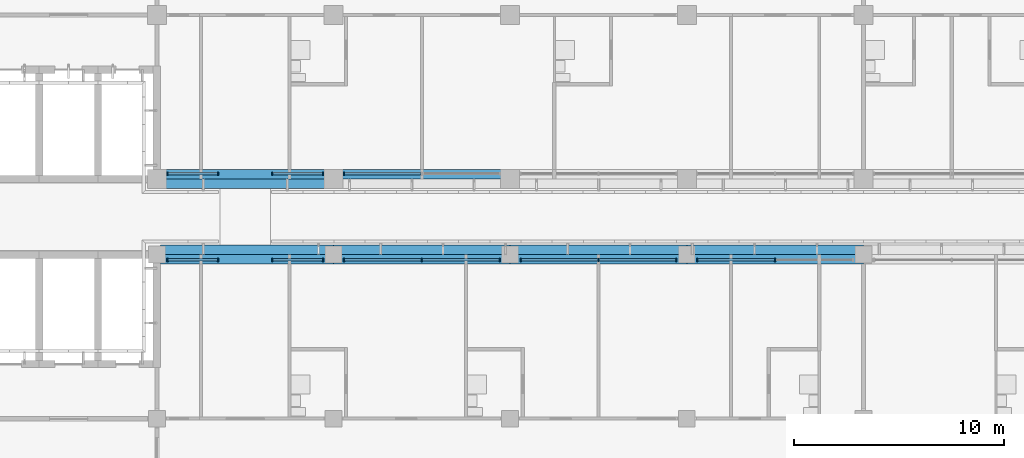
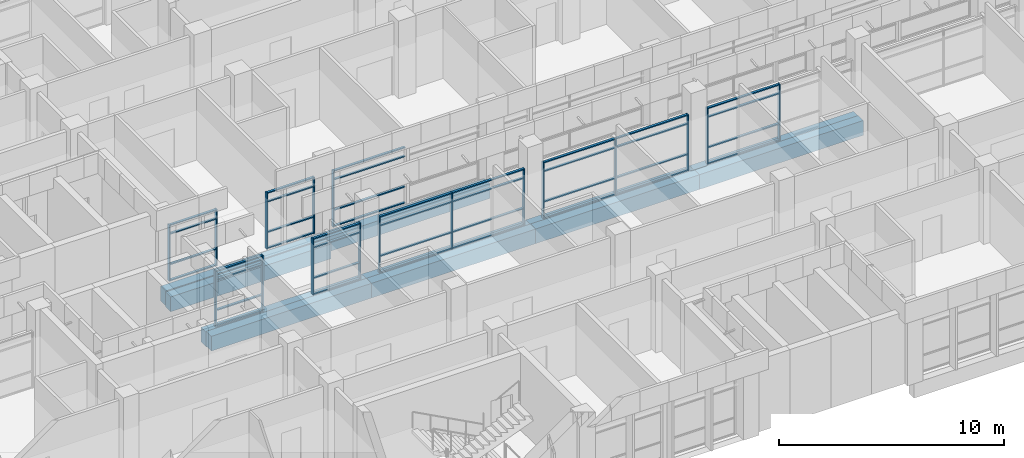
# One storey, part 24 of 137: 57 members, 11 beams, 8 elements without a shape of their own.
"""IFC4 building model written with IfcOpenShell, lengths in metres."""

from ifc_helpers import new_model, si_unit, direction, frame, origin, origin_2d, place, context, subcontext, project, spatial, rectangle, extrude, material, material_profile, profile_set, type_object, element, aggregate, save


model = new_model("IFC4")

# Units and contexts
model_context = context("Model", 3, precision=1e-05, world=origin(), true_north=direction((0.0, 1.0)))
body_context = subcontext(model_context, "Body", "Model", "MODEL_VIEW")
ifc_project = project(units=[si_unit("LENGTHUNIT", "METRE"), si_unit("AREAUNIT", "SQUARE_METRE"), si_unit("VOLUMEUNIT", "CUBIC_METRE"), si_unit("PLANEANGLEUNIT", "RADIAN"), si_unit("MASSUNIT", "GRAM", prefix="KILO")], contexts=[model_context])

# Site, building, storey
site_placement = place(None, origin())
site = spatial("IfcSite", under=ifc_project, at=site_placement, CompositionType="ELEMENT")
building_placement = place(site_placement, origin())
building = spatial("IfcBuilding", under=site, at=building_placement, Name="Bougainvillea Quay General Hospital", CompositionType="ELEMENT")
storey_placement = place(building_placement, frame((0.0, 0.0, 16.800048828125)))
storey = spatial("IfcBuildingStorey", under=building, at=storey_placement, Name="L03", CompositionType="ELEMENT", Elevation=16.800048828125)

# Curtain wall, members
ifc_material_1 = material(Name="Aluminium curtain wall system, powder-coated glazed", Category="aluminium")
curtain_wall_type_1 = type_object("IfcCurtainWallType", Name="Unitised curtain wall CW-2470", PredefinedType="NOTDEFINED", material=ifc_material_1)
curtain_wall_1_placement = place(storey_placement, origin())
curtain_wall_1 = element("IfcCurtainWall", 1, at=curtain_wall_1_placement, inside=storey, type_object=curtain_wall_type_1, Name="CW-4200 00", PredefinedType="NOTDEFINED")
ifc_material_2 = material(Name="Aluminium mullion, powder-coated charcoal", Category="aluminium")
ifc_material_profile_1 = material_profile(ifc_material_2, rectangle(XDim=0.159912109375, YDim=0.06005859375, at=origin_2d()))
ifc_profile_set_1 = profile_set([ifc_material_profile_1], Name="Aluminium mullion, powder-coated charcoal")
member_type_1 = type_object("IfcMemberType", Name="Curtain wall mullion 160x60", PredefinedType="MULLION", material=ifc_profile_set_1)
member_1_placement = place(storey_placement, frame((76.10009765625, 140.64990234375, 0.0), z_axis=(0.0, 0.0, 1.0), x_axis=(0.0, 1.0, 0.0)))
member_1 = element("IfcMember", 2, at=member_1_placement, type_object=member_type_1, Name="CW-4200 mullion 1", PredefinedType="MULLION", context=body_context, shape_type="SweptSolid", body=[
    extrude(rectangle(XDim=0.159912109375, YDim=0.06005859375, at=origin_2d()), origin(), (0.0, 0.0, 1.0), 3.050048828125),
])
member_2_placement = place(storey_placement, frame((78.510009765625, 140.64990234375, 0.0), z_axis=(0.0, 0.0, 1.0), x_axis=(0.0, 1.0, 0.0)))
member_2 = element("IfcMember", 3, at=member_2_placement, type_object=member_type_1, Name="CW-4200 mullion 2", PredefinedType="MULLION", context=body_context, shape_type="SweptSolid", body=[
    extrude(rectangle(XDim=0.159912109375, YDim=0.06005859375, at=origin_2d()), origin(), (0.0, 0.0, 1.0), 3.050048828125),
])

curtain_wall_2_placement = place(storey_placement, origin())
curtain_wall_2 = element("IfcCurtainWall", 4, at=curtain_wall_2_placement, inside=storey, type_object=curtain_wall_type_1, Name="CW-4200 00", PredefinedType="NOTDEFINED")
member_3_placement = place(storey_placement, frame((81.090087890625, 140.64990234375, 0.0), z_axis=(0.0, 0.0, 1.0), x_axis=(0.0, 1.0, 0.0)))
member_3 = element("IfcMember", 5, at=member_3_placement, type_object=member_type_1, Name="CW-4200 mullion 1", PredefinedType="MULLION", context=body_context, shape_type="SweptSolid", body=[
    extrude(rectangle(XDim=0.159912109375, YDim=0.06005859375, at=origin_2d()), origin(), (0.0, 0.0, 1.0), 3.050048828125),
])
member_4_placement = place(storey_placement, frame((83.5, 140.64990234375, 0.0), z_axis=(0.0, 0.0, 1.0), x_axis=(0.0, 1.0, 0.0)))
member_4 = element("IfcMember", 6, at=member_4_placement, type_object=member_type_1, Name="CW-4200 mullion 2", PredefinedType="MULLION", context=body_context, shape_type="SweptSolid", body=[
    extrude(rectangle(XDim=0.159912109375, YDim=0.06005859375, at=origin_2d()), origin(), (0.0, 0.0, 1.0), 3.050048828125),
])

# Curtain wall, member
curtain_wall_type_2 = type_object("IfcCurtainWallType", Name="Unitised curtain wall CW-3730", PredefinedType="NOTDEFINED", material=ifc_material_1)
curtain_wall_3_placement = place(storey_placement, origin())
curtain_wall_3 = element("IfcCurtainWall", 7, at=curtain_wall_3_placement, inside=storey, type_object=curtain_wall_type_2, Name="CW-4200 01", PredefinedType="NOTDEFINED")
member_5_placement = place(storey_placement, frame((84.5, 140.64990234375, 0.0), z_axis=(0.0, 0.0, 1.0), x_axis=(0.0, 1.0, 0.0)))
member_5 = element("IfcMember", 8, at=member_5_placement, type_object=member_type_1, Name="CW-4200 mullion 1", PredefinedType="MULLION", context=body_context, shape_type="SweptSolid", body=[
    extrude(rectangle(XDim=0.159912109375, YDim=0.06005859375, at=origin_2d()), origin(), (0.0, 0.0, 1.0), 3.050048828125),
])

# Curtain wall, members
curtain_wall_4_placement = place(storey_placement, origin())
curtain_wall_4 = element("IfcCurtainWall", 9, at=curtain_wall_4_placement, inside=storey, type_object=curtain_wall_type_1, Name="CW-4200 00", PredefinedType="NOTDEFINED")
member_6_placement = place(storey_placement, frame((78.510009765625, 136.550048828125, 0.0), z_axis=(0.0, 0.0, 1.0), x_axis=(0.0, -1.0, 0.0)))
member_6 = element("IfcMember", 10, at=member_6_placement, type_object=member_type_1, Name="CW-4200 mullion 1", PredefinedType="MULLION", context=body_context, shape_type="SweptSolid", body=[
    extrude(rectangle(XDim=0.159912109375, YDim=0.06005859375, at=origin_2d()), origin(), (0.0, 0.0, 1.0), 3.050048828125),
])
member_7_placement = place(storey_placement, frame((76.10009765625, 136.550048828125, 0.0), z_axis=(0.0, 0.0, 1.0), x_axis=(0.0, -1.0, 0.0)))
member_7 = element("IfcMember", 11, at=member_7_placement, type_object=member_type_1, Name="CW-4200 mullion 2", PredefinedType="MULLION", context=body_context, shape_type="SweptSolid", body=[
    extrude(rectangle(XDim=0.159912109375, YDim=0.06005859375, at=origin_2d()), origin(), (0.0, 0.0, 1.0), 3.050048828125),
])

curtain_wall_5_placement = place(storey_placement, origin())
curtain_wall_5 = element("IfcCurtainWall", 12, at=curtain_wall_5_placement, inside=storey, type_object=curtain_wall_type_2, Name="CW-4200 03", PredefinedType="NOTDEFINED")
member_8_placement = place(storey_placement, frame((105.0, 136.550048828125, 0.0), z_axis=(0.0, 0.0, 1.0), x_axis=(0.0, -1.0, 0.0)))
member_8 = element("IfcMember", 13, at=member_8_placement, type_object=member_type_1, Name="CW-4200 mullion 2", PredefinedType="MULLION", context=body_context, shape_type="SweptSolid", body=[
    extrude(rectangle(XDim=0.159912109375, YDim=0.06005859375, at=origin_2d()), origin(), (0.0, 0.0, 1.0), 3.050048828125),
])
member_9_placement = place(storey_placement, frame((101.300048828125, 136.550048828125, 0.0), z_axis=(0.0, 0.0, 1.0), x_axis=(0.0, -1.0, 0.0)))
member_9 = element("IfcMember", 14, at=member_9_placement, type_object=member_type_1, Name="CW-4200 mullion 3", PredefinedType="MULLION", context=body_context, shape_type="SweptSolid", body=[
    extrude(rectangle(XDim=0.159912109375, YDim=0.06005859375, at=origin_2d()), origin(), (0.0, 0.0, 1.0), 3.050048828125),
])

curtain_wall_6_placement = place(storey_placement, origin())
curtain_wall_6 = element("IfcCurtainWall", 15, at=curtain_wall_6_placement, inside=storey, type_object=curtain_wall_type_2, Name="CW-4200 04", PredefinedType="NOTDEFINED")
member_10_placement = place(storey_placement, frame((100.300048828125, 136.550048828125, 0.0), z_axis=(0.0, 0.0, 1.0), x_axis=(0.0, -1.0, 0.0)))
member_10 = element("IfcMember", 16, at=member_10_placement, type_object=member_type_1, Name="CW-4200 mullion 1", PredefinedType="MULLION", context=body_context, shape_type="SweptSolid", body=[
    extrude(rectangle(XDim=0.159912109375, YDim=0.06005859375, at=origin_2d()), origin(), (0.0, 0.0, 1.0), 3.050048828125),
])
member_11_placement = place(storey_placement, frame((96.60009765625, 136.550048828125, 0.0), z_axis=(0.0, 0.0, 1.0), x_axis=(0.0, -1.0, 0.0)))
member_11 = element("IfcMember", 17, at=member_11_placement, type_object=member_type_1, Name="CW-4200 mullion 2", PredefinedType="MULLION", context=body_context, shape_type="SweptSolid", body=[
    extrude(rectangle(XDim=0.159912109375, YDim=0.06005859375, at=origin_2d()), origin(), (0.0, 0.0, 1.0), 3.050048828125),
])
member_12_placement = place(storey_placement, frame((92.89990234375, 136.550048828125, 0.0), z_axis=(0.0, 0.0, 1.0), x_axis=(0.0, -1.0, 0.0)))
member_12 = element("IfcMember", 18, at=member_12_placement, type_object=member_type_1, Name="CW-4200 mullion 3", PredefinedType="MULLION", context=body_context, shape_type="SweptSolid", body=[
    extrude(rectangle(XDim=0.159912109375, YDim=0.06005859375, at=origin_2d()), origin(), (0.0, 0.0, 1.0), 3.050048828125),
])

curtain_wall_7_placement = place(storey_placement, origin())
curtain_wall_7 = element("IfcCurtainWall", 19, at=curtain_wall_7_placement, inside=storey, type_object=curtain_wall_type_2, Name="CW-4200 05", PredefinedType="NOTDEFINED")
member_13_placement = place(storey_placement, frame((91.89990234375, 136.550048828125, 0.0), z_axis=(0.0, 0.0, 1.0), x_axis=(0.0, -1.0, 0.0)))
member_13 = element("IfcMember", 20, at=member_13_placement, type_object=member_type_1, Name="CW-4200 mullion 1", PredefinedType="MULLION", context=body_context, shape_type="SweptSolid", body=[
    extrude(rectangle(XDim=0.159912109375, YDim=0.06005859375, at=origin_2d()), origin(), (0.0, 0.0, 1.0), 3.050048828125),
])
member_14_placement = place(storey_placement, frame((88.199951171875, 136.550048828125, 0.0), z_axis=(0.0, 0.0, 1.0), x_axis=(0.0, -1.0, 0.0)))
member_14 = element("IfcMember", 21, at=member_14_placement, type_object=member_type_1, Name="CW-4200 mullion 2", PredefinedType="MULLION", context=body_context, shape_type="SweptSolid", body=[
    extrude(rectangle(XDim=0.159912109375, YDim=0.06005859375, at=origin_2d()), origin(), (0.0, 0.0, 1.0), 3.050048828125),
])
member_15_placement = place(storey_placement, frame((84.5, 136.550048828125, 0.0), z_axis=(0.0, 0.0, 1.0), x_axis=(0.0, -1.0, 0.0)))
member_15 = element("IfcMember", 22, at=member_15_placement, type_object=member_type_1, Name="CW-4200 mullion 3", PredefinedType="MULLION", context=body_context, shape_type="SweptSolid", body=[
    extrude(rectangle(XDim=0.159912109375, YDim=0.06005859375, at=origin_2d()), origin(), (0.0, 0.0, 1.0), 3.050048828125),
])

curtain_wall_8_placement = place(storey_placement, origin())
curtain_wall_8 = element("IfcCurtainWall", 23, at=curtain_wall_8_placement, inside=storey, type_object=curtain_wall_type_1, Name="CW-4200 06", PredefinedType="NOTDEFINED")
member_16_placement = place(storey_placement, frame((83.5, 136.550048828125, 0.0), z_axis=(0.0, 0.0, 1.0), x_axis=(0.0, -1.0, 0.0)))
member_16 = element("IfcMember", 24, at=member_16_placement, type_object=member_type_1, Name="CW-4200 mullion 1", PredefinedType="MULLION", context=body_context, shape_type="SweptSolid", body=[
    extrude(rectangle(XDim=0.159912109375, YDim=0.06005859375, at=origin_2d()), origin(), (0.0, 0.0, 1.0), 3.050048828125),
])
member_17_placement = place(storey_placement, frame((81.090087890625, 136.550048828125, 0.0), z_axis=(0.0, 0.0, 1.0), x_axis=(0.0, -1.0, 0.0)))
member_17 = element("IfcMember", 25, at=member_17_placement, type_object=member_type_1, Name="CW-4200 mullion 2", PredefinedType="MULLION", context=body_context, shape_type="SweptSolid", body=[
    extrude(rectangle(XDim=0.159912109375, YDim=0.06005859375, at=origin_2d()), origin(), (0.0, 0.0, 1.0), 3.050048828125),
])

# Member
ifc_material_3 = material(Name="Aluminium transom, powder-coated charcoal", Category="aluminium")
ifc_material_profile_2 = material_profile(ifc_material_3, rectangle(XDim=0.1201171875, YDim=0.06005859375, at=origin_2d()))
ifc_profile_set_2 = profile_set([ifc_material_profile_2], Name="Aluminium transom, powder-coated charcoal")
member_type_2 = type_object("IfcMemberType", Name="Curtain wall transom 120x60", PredefinedType="USERDEFINED", material=ifc_profile_set_2)
member_18_placement = place(storey_placement, frame((76.1298828125, 140.64990234375, 0.030029296875), z_axis=(1.0, 0.0, 0.0), x_axis=(0.0, 1.0, 0.0)))
member_18 = element("IfcMember", 26, at=member_18_placement, type_object=member_type_2, Name="CW-4200 transom 1.1", ObjectType="TRANSOM", PredefinedType="USERDEFINED", context=body_context, shape_type="SweptSolid", body=[
    extrude(rectangle(XDim=0.1201171875, YDim=0.06005859375, at=origin_2d()), origin(), (0.0, 0.0, 1.0), 2.35009765625),
])

member_19_placement = place(storey_placement, frame((76.1298828125, 140.64990234375, 0.89990234375), z_axis=(1.0, 0.0, 0.0), x_axis=(0.0, 1.0, 0.0)))
member_19 = element("IfcMember", 27, at=member_19_placement, type_object=member_type_2, Name="CW-4200 transom 1.2", ObjectType="TRANSOM", PredefinedType="USERDEFINED", context=body_context, shape_type="SweptSolid", body=[
    extrude(rectangle(XDim=0.1201171875, YDim=0.06005859375, at=origin_2d()), origin(), (0.0, 0.0, 1.0), 2.35009765625),
])

member_20_placement = place(storey_placement, frame((76.1298828125, 140.64990234375, 2.550048828125), z_axis=(1.0, 0.0, 0.0), x_axis=(0.0, 1.0, 0.0)))
member_20 = element("IfcMember", 28, at=member_20_placement, type_object=member_type_2, Name="CW-4200 transom 1.3", ObjectType="TRANSOM", PredefinedType="USERDEFINED", context=body_context, shape_type="SweptSolid", body=[
    extrude(rectangle(XDim=0.1201171875, YDim=0.06005859375, at=origin_2d()), origin(), (0.0, 0.0, 1.0), 2.35009765625),
])

member_21_placement = place(storey_placement, frame((76.1298828125, 140.64990234375, 3.02001953125), z_axis=(1.0, 0.0, 0.0), x_axis=(0.0, 1.0, 0.0)))
member_21 = element("IfcMember", 29, at=member_21_placement, type_object=member_type_2, Name="CW-4200 transom 1.4", ObjectType="TRANSOM", PredefinedType="USERDEFINED", context=body_context, shape_type="SweptSolid", body=[
    extrude(rectangle(XDim=0.1201171875, YDim=0.06005859375, at=origin_2d()), origin(), (0.0, 0.0, 1.0), 2.35009765625),
])

aggregate(curtain_wall_1, [member_1, member_2, member_18, member_19, member_20, member_21])

member_22_placement = place(storey_placement, frame((81.1201171875, 140.64990234375, 0.030029296875), z_axis=(1.0, 0.0, 0.0), x_axis=(0.0, 1.0, 0.0)))
member_22 = element("IfcMember", 30, at=member_22_placement, type_object=member_type_2, Name="CW-4200 transom 1.1", ObjectType="TRANSOM", PredefinedType="USERDEFINED", context=body_context, shape_type="SweptSolid", body=[
    extrude(rectangle(XDim=0.1201171875, YDim=0.06005859375, at=origin_2d()), origin(), (0.0, 0.0, 1.0), 2.349853515625),
])

member_23_placement = place(storey_placement, frame((81.1201171875, 140.64990234375, 0.89990234375), z_axis=(1.0, 0.0, 0.0), x_axis=(0.0, 1.0, 0.0)))
member_23 = element("IfcMember", 31, at=member_23_placement, type_object=member_type_2, Name="CW-4200 transom 1.2", ObjectType="TRANSOM", PredefinedType="USERDEFINED", context=body_context, shape_type="SweptSolid", body=[
    extrude(rectangle(XDim=0.1201171875, YDim=0.06005859375, at=origin_2d()), origin(), (0.0, 0.0, 1.0), 2.349853515625),
])

member_24_placement = place(storey_placement, frame((81.1201171875, 140.64990234375, 2.550048828125), z_axis=(1.0, 0.0, 0.0), x_axis=(0.0, 1.0, 0.0)))
member_24 = element("IfcMember", 32, at=member_24_placement, type_object=member_type_2, Name="CW-4200 transom 1.3", ObjectType="TRANSOM", PredefinedType="USERDEFINED", context=body_context, shape_type="SweptSolid", body=[
    extrude(rectangle(XDim=0.1201171875, YDim=0.06005859375, at=origin_2d()), origin(), (0.0, 0.0, 1.0), 2.349853515625),
])

member_25_placement = place(storey_placement, frame((81.1201171875, 140.64990234375, 3.02001953125), z_axis=(1.0, 0.0, 0.0), x_axis=(0.0, 1.0, 0.0)))
member_25 = element("IfcMember", 33, at=member_25_placement, type_object=member_type_2, Name="CW-4200 transom 1.4", ObjectType="TRANSOM", PredefinedType="USERDEFINED", context=body_context, shape_type="SweptSolid", body=[
    extrude(rectangle(XDim=0.1201171875, YDim=0.06005859375, at=origin_2d()), origin(), (0.0, 0.0, 1.0), 2.349853515625),
])

aggregate(curtain_wall_2, [member_3, member_4, member_22, member_23, member_24, member_25])

member_26_placement = place(storey_placement, frame((84.530029296875, 140.64990234375, 0.030029296875), z_axis=(1.0, 0.0, 0.0), x_axis=(0.0, 1.0, 0.0)))
member_26 = element("IfcMember", 34, at=member_26_placement, type_object=member_type_2, Name="CW-4200 transom 1.1", ObjectType="TRANSOM", PredefinedType="USERDEFINED", context=body_context, shape_type="SweptSolid", body=[
    extrude(rectangle(XDim=0.1201171875, YDim=0.06005859375, at=origin_2d()), origin(), (0.0, 0.0, 1.0), 3.639892578125),
])

member_27_placement = place(storey_placement, frame((84.530029296875, 140.64990234375, 0.89990234375), z_axis=(1.0, 0.0, 0.0), x_axis=(0.0, 1.0, 0.0)))
member_27 = element("IfcMember", 35, at=member_27_placement, type_object=member_type_2, Name="CW-4200 transom 1.2", ObjectType="TRANSOM", PredefinedType="USERDEFINED", context=body_context, shape_type="SweptSolid", body=[
    extrude(rectangle(XDim=0.1201171875, YDim=0.06005859375, at=origin_2d()), origin(), (0.0, 0.0, 1.0), 3.639892578125),
])

member_28_placement = place(storey_placement, frame((84.530029296875, 140.64990234375, 2.550048828125), z_axis=(1.0, 0.0, 0.0), x_axis=(0.0, 1.0, 0.0)))
member_28 = element("IfcMember", 36, at=member_28_placement, type_object=member_type_2, Name="CW-4200 transom 1.3", ObjectType="TRANSOM", PredefinedType="USERDEFINED", context=body_context, shape_type="SweptSolid", body=[
    extrude(rectangle(XDim=0.1201171875, YDim=0.06005859375, at=origin_2d()), origin(), (0.0, 0.0, 1.0), 3.639892578125),
])

member_29_placement = place(storey_placement, frame((84.530029296875, 140.64990234375, 3.02001953125), z_axis=(1.0, 0.0, 0.0), x_axis=(0.0, 1.0, 0.0)))
member_29 = element("IfcMember", 37, at=member_29_placement, type_object=member_type_2, Name="CW-4200 transom 1.4", ObjectType="TRANSOM", PredefinedType="USERDEFINED", context=body_context, shape_type="SweptSolid", body=[
    extrude(rectangle(XDim=0.1201171875, YDim=0.06005859375, at=origin_2d()), origin(), (0.0, 0.0, 1.0), 3.639892578125),
])

aggregate(curtain_wall_3, [member_5, member_26, member_27, member_28, member_29])

member_30_placement = place(storey_placement, frame((78.47998046875, 136.550048828125, 0.030029296875), z_axis=(-1.0, 0.0, 0.0), x_axis=(0.0, -1.0, 0.0)))
member_30 = element("IfcMember", 38, at=member_30_placement, type_object=member_type_2, Name="CW-4200 transom 1.1", ObjectType="TRANSOM", PredefinedType="USERDEFINED", context=body_context, shape_type="SweptSolid", body=[
    extrude(rectangle(XDim=0.1201171875, YDim=0.06005859375, at=origin_2d()), origin(), (0.0, 0.0, 1.0), 2.35009765625),
])

member_31_placement = place(storey_placement, frame((78.47998046875, 136.550048828125, 0.89990234375), z_axis=(-1.0, 0.0, 0.0), x_axis=(0.0, -1.0, 0.0)))
member_31 = element("IfcMember", 39, at=member_31_placement, type_object=member_type_2, Name="CW-4200 transom 1.2", ObjectType="TRANSOM", PredefinedType="USERDEFINED", context=body_context, shape_type="SweptSolid", body=[
    extrude(rectangle(XDim=0.1201171875, YDim=0.06005859375, at=origin_2d()), origin(), (0.0, 0.0, 1.0), 2.35009765625),
])

member_32_placement = place(storey_placement, frame((78.47998046875, 136.550048828125, 2.550048828125), z_axis=(-1.0, 0.0, 0.0), x_axis=(0.0, -1.0, 0.0)))
member_32 = element("IfcMember", 40, at=member_32_placement, type_object=member_type_2, Name="CW-4200 transom 1.3", ObjectType="TRANSOM", PredefinedType="USERDEFINED", context=body_context, shape_type="SweptSolid", body=[
    extrude(rectangle(XDim=0.1201171875, YDim=0.06005859375, at=origin_2d()), origin(), (0.0, 0.0, 1.0), 2.35009765625),
])

member_33_placement = place(storey_placement, frame((78.47998046875, 136.550048828125, 3.02001953125), z_axis=(-1.0, 0.0, 0.0), x_axis=(0.0, -1.0, 0.0)))
member_33 = element("IfcMember", 41, at=member_33_placement, type_object=member_type_2, Name="CW-4200 transom 1.4", ObjectType="TRANSOM", PredefinedType="USERDEFINED", context=body_context, shape_type="SweptSolid", body=[
    extrude(rectangle(XDim=0.1201171875, YDim=0.06005859375, at=origin_2d()), origin(), (0.0, 0.0, 1.0), 2.35009765625),
])

aggregate(curtain_wall_4, [member_6, member_7, member_30, member_31, member_32, member_33])

member_34_placement = place(storey_placement, frame((104.969970703125, 136.550048828125, 0.030029296875), z_axis=(-1.0, 0.0, 0.0), x_axis=(0.0, -1.0, 0.0)))
member_34 = element("IfcMember", 42, at=member_34_placement, type_object=member_type_2, Name="CW-4200 transom 2.1", ObjectType="TRANSOM", PredefinedType="USERDEFINED", context=body_context, shape_type="SweptSolid", body=[
    extrude(rectangle(XDim=0.1201171875, YDim=0.06005859375, at=origin_2d()), origin(), (0.0, 0.0, 1.0), 3.639892578125),
])

member_35_placement = place(storey_placement, frame((104.969970703125, 136.550048828125, 0.89990234375), z_axis=(-1.0, 0.0, 0.0), x_axis=(0.0, -1.0, 0.0)))
member_35 = element("IfcMember", 43, at=member_35_placement, type_object=member_type_2, Name="CW-4200 transom 2.2", ObjectType="TRANSOM", PredefinedType="USERDEFINED", context=body_context, shape_type="SweptSolid", body=[
    extrude(rectangle(XDim=0.1201171875, YDim=0.06005859375, at=origin_2d()), origin(), (0.0, 0.0, 1.0), 3.639892578125),
])

member_36_placement = place(storey_placement, frame((104.969970703125, 136.550048828125, 2.550048828125), z_axis=(-1.0, 0.0, 0.0), x_axis=(0.0, -1.0, 0.0)))
member_36 = element("IfcMember", 44, at=member_36_placement, type_object=member_type_2, Name="CW-4200 transom 2.3", ObjectType="TRANSOM", PredefinedType="USERDEFINED", context=body_context, shape_type="SweptSolid", body=[
    extrude(rectangle(XDim=0.1201171875, YDim=0.06005859375, at=origin_2d()), origin(), (0.0, 0.0, 1.0), 3.639892578125),
])

member_37_placement = place(storey_placement, frame((104.969970703125, 136.550048828125, 3.02001953125), z_axis=(-1.0, 0.0, 0.0), x_axis=(0.0, -1.0, 0.0)))
member_37 = element("IfcMember", 45, at=member_37_placement, type_object=member_type_2, Name="CW-4200 transom 2.4", ObjectType="TRANSOM", PredefinedType="USERDEFINED", context=body_context, shape_type="SweptSolid", body=[
    extrude(rectangle(XDim=0.1201171875, YDim=0.06005859375, at=origin_2d()), origin(), (0.0, 0.0, 1.0), 3.639892578125),
])

aggregate(curtain_wall_5, [member_8, member_9, member_34, member_35, member_36, member_37])

member_38_placement = place(storey_placement, frame((100.27001953125, 136.550048828125, 0.030029296875), z_axis=(-1.0, 0.0, 0.0), x_axis=(0.0, -1.0, 0.0)))
member_38 = element("IfcMember", 46, at=member_38_placement, type_object=member_type_2, Name="CW-4200 transom 1.1", ObjectType="TRANSOM", PredefinedType="USERDEFINED", context=body_context, shape_type="SweptSolid", body=[
    extrude(rectangle(XDim=0.1201171875, YDim=0.06005859375, at=origin_2d()), origin(), (0.0, 0.0, 1.0), 3.64013671875),
])

member_39_placement = place(storey_placement, frame((100.27001953125, 136.550048828125, 0.89990234375), z_axis=(-1.0, 0.0, 0.0), x_axis=(0.0, -1.0, 0.0)))
member_39 = element("IfcMember", 47, at=member_39_placement, type_object=member_type_2, Name="CW-4200 transom 1.2", ObjectType="TRANSOM", PredefinedType="USERDEFINED", context=body_context, shape_type="SweptSolid", body=[
    extrude(rectangle(XDim=0.1201171875, YDim=0.06005859375, at=origin_2d()), origin(), (0.0, 0.0, 1.0), 3.64013671875),
])

member_40_placement = place(storey_placement, frame((100.27001953125, 136.550048828125, 2.550048828125), z_axis=(-1.0, 0.0, 0.0), x_axis=(0.0, -1.0, 0.0)))
member_40 = element("IfcMember", 48, at=member_40_placement, type_object=member_type_2, Name="CW-4200 transom 1.3", ObjectType="TRANSOM", PredefinedType="USERDEFINED", context=body_context, shape_type="SweptSolid", body=[
    extrude(rectangle(XDim=0.1201171875, YDim=0.06005859375, at=origin_2d()), origin(), (0.0, 0.0, 1.0), 3.64013671875),
])

member_41_placement = place(storey_placement, frame((100.27001953125, 136.550048828125, 3.02001953125), z_axis=(-1.0, 0.0, 0.0), x_axis=(0.0, -1.0, 0.0)))
member_41 = element("IfcMember", 49, at=member_41_placement, type_object=member_type_2, Name="CW-4200 transom 1.4", ObjectType="TRANSOM", PredefinedType="USERDEFINED", context=body_context, shape_type="SweptSolid", body=[
    extrude(rectangle(XDim=0.1201171875, YDim=0.06005859375, at=origin_2d()), origin(), (0.0, 0.0, 1.0), 3.64013671875),
])

member_42_placement = place(storey_placement, frame((96.570068359375, 136.550048828125, 0.030029296875), z_axis=(-1.0, 0.0, 0.0), x_axis=(0.0, -1.0, 0.0)))
member_42 = element("IfcMember", 50, at=member_42_placement, type_object=member_type_2, Name="CW-4200 transom 2.1", ObjectType="TRANSOM", PredefinedType="USERDEFINED", context=body_context, shape_type="SweptSolid", body=[
    extrude(rectangle(XDim=0.1201171875, YDim=0.06005859375, at=origin_2d()), origin(), (0.0, 0.0, 1.0), 3.64013671875),
])

member_43_placement = place(storey_placement, frame((96.570068359375, 136.550048828125, 0.89990234375), z_axis=(-1.0, 0.0, 0.0), x_axis=(0.0, -1.0, 0.0)))
member_43 = element("IfcMember", 51, at=member_43_placement, type_object=member_type_2, Name="CW-4200 transom 2.2", ObjectType="TRANSOM", PredefinedType="USERDEFINED", context=body_context, shape_type="SweptSolid", body=[
    extrude(rectangle(XDim=0.1201171875, YDim=0.06005859375, at=origin_2d()), origin(), (0.0, 0.0, 1.0), 3.64013671875),
])

member_44_placement = place(storey_placement, frame((96.570068359375, 136.550048828125, 2.550048828125), z_axis=(-1.0, 0.0, 0.0), x_axis=(0.0, -1.0, 0.0)))
member_44 = element("IfcMember", 52, at=member_44_placement, type_object=member_type_2, Name="CW-4200 transom 2.3", ObjectType="TRANSOM", PredefinedType="USERDEFINED", context=body_context, shape_type="SweptSolid", body=[
    extrude(rectangle(XDim=0.1201171875, YDim=0.06005859375, at=origin_2d()), origin(), (0.0, 0.0, 1.0), 3.64013671875),
])

member_45_placement = place(storey_placement, frame((96.570068359375, 136.550048828125, 3.02001953125), z_axis=(-1.0, 0.0, 0.0), x_axis=(0.0, -1.0, 0.0)))
member_45 = element("IfcMember", 53, at=member_45_placement, type_object=member_type_2, Name="CW-4200 transom 2.4", ObjectType="TRANSOM", PredefinedType="USERDEFINED", context=body_context, shape_type="SweptSolid", body=[
    extrude(rectangle(XDim=0.1201171875, YDim=0.06005859375, at=origin_2d()), origin(), (0.0, 0.0, 1.0), 3.64013671875),
])

aggregate(curtain_wall_6, [member_10, member_11, member_12, member_38, member_39, member_40, member_41, member_42, member_43, member_44, member_45])

member_46_placement = place(storey_placement, frame((91.8701171875, 136.550048828125, 0.030029296875), z_axis=(-1.0, 0.0, 0.0), x_axis=(0.0, -1.0, 0.0)))
member_46 = element("IfcMember", 54, at=member_46_placement, type_object=member_type_2, Name="CW-4200 transom 1.1", ObjectType="TRANSOM", PredefinedType="USERDEFINED", context=body_context, shape_type="SweptSolid", body=[
    extrude(rectangle(XDim=0.1201171875, YDim=0.06005859375, at=origin_2d()), origin(), (0.0, 0.0, 1.0), 3.64013671875),
])

member_47_placement = place(storey_placement, frame((91.8701171875, 136.550048828125, 0.89990234375), z_axis=(-1.0, 0.0, 0.0), x_axis=(0.0, -1.0, 0.0)))
member_47 = element("IfcMember", 55, at=member_47_placement, type_object=member_type_2, Name="CW-4200 transom 1.2", ObjectType="TRANSOM", PredefinedType="USERDEFINED", context=body_context, shape_type="SweptSolid", body=[
    extrude(rectangle(XDim=0.1201171875, YDim=0.06005859375, at=origin_2d()), origin(), (0.0, 0.0, 1.0), 3.64013671875),
])

member_48_placement = place(storey_placement, frame((91.8701171875, 136.550048828125, 2.550048828125), z_axis=(-1.0, 0.0, 0.0), x_axis=(0.0, -1.0, 0.0)))
member_48 = element("IfcMember", 56, at=member_48_placement, type_object=member_type_2, Name="CW-4200 transom 1.3", ObjectType="TRANSOM", PredefinedType="USERDEFINED", context=body_context, shape_type="SweptSolid", body=[
    extrude(rectangle(XDim=0.1201171875, YDim=0.06005859375, at=origin_2d()), origin(), (0.0, 0.0, 1.0), 3.64013671875),
])

member_49_placement = place(storey_placement, frame((91.8701171875, 136.550048828125, 3.02001953125), z_axis=(-1.0, 0.0, 0.0), x_axis=(0.0, -1.0, 0.0)))
member_49 = element("IfcMember", 57, at=member_49_placement, type_object=member_type_2, Name="CW-4200 transom 1.4", ObjectType="TRANSOM", PredefinedType="USERDEFINED", context=body_context, shape_type="SweptSolid", body=[
    extrude(rectangle(XDim=0.1201171875, YDim=0.06005859375, at=origin_2d()), origin(), (0.0, 0.0, 1.0), 3.64013671875),
])

member_50_placement = place(storey_placement, frame((88.169921875, 136.550048828125, 0.030029296875), z_axis=(-1.0, 0.0, 0.0), x_axis=(0.0, -1.0, 0.0)))
member_50 = element("IfcMember", 58, at=member_50_placement, type_object=member_type_2, Name="CW-4200 transom 2.1", ObjectType="TRANSOM", PredefinedType="USERDEFINED", context=body_context, shape_type="SweptSolid", body=[
    extrude(rectangle(XDim=0.1201171875, YDim=0.06005859375, at=origin_2d()), origin(), (0.0, 0.0, 1.0), 3.639892578125),
])

member_51_placement = place(storey_placement, frame((88.169921875, 136.550048828125, 0.89990234375), z_axis=(-1.0, 0.0, 0.0), x_axis=(0.0, -1.0, 0.0)))
member_51 = element("IfcMember", 59, at=member_51_placement, type_object=member_type_2, Name="CW-4200 transom 2.2", ObjectType="TRANSOM", PredefinedType="USERDEFINED", context=body_context, shape_type="SweptSolid", body=[
    extrude(rectangle(XDim=0.1201171875, YDim=0.06005859375, at=origin_2d()), origin(), (0.0, 0.0, 1.0), 3.639892578125),
])

member_52_placement = place(storey_placement, frame((88.169921875, 136.550048828125, 2.550048828125), z_axis=(-1.0, 0.0, 0.0), x_axis=(0.0, -1.0, 0.0)))
member_52 = element("IfcMember", 60, at=member_52_placement, type_object=member_type_2, Name="CW-4200 transom 2.3", ObjectType="TRANSOM", PredefinedType="USERDEFINED", context=body_context, shape_type="SweptSolid", body=[
    extrude(rectangle(XDim=0.1201171875, YDim=0.06005859375, at=origin_2d()), origin(), (0.0, 0.0, 1.0), 3.639892578125),
])

member_53_placement = place(storey_placement, frame((88.169921875, 136.550048828125, 3.02001953125), z_axis=(-1.0, 0.0, 0.0), x_axis=(0.0, -1.0, 0.0)))
member_53 = element("IfcMember", 61, at=member_53_placement, type_object=member_type_2, Name="CW-4200 transom 2.4", ObjectType="TRANSOM", PredefinedType="USERDEFINED", context=body_context, shape_type="SweptSolid", body=[
    extrude(rectangle(XDim=0.1201171875, YDim=0.06005859375, at=origin_2d()), origin(), (0.0, 0.0, 1.0), 3.639892578125),
])

aggregate(curtain_wall_7, [member_13, member_14, member_15, member_46, member_47, member_48, member_49, member_50, member_51, member_52, member_53])

member_54_placement = place(storey_placement, frame((83.469970703125, 136.550048828125, 0.030029296875), z_axis=(-1.0, 0.0, 0.0), x_axis=(0.0, -1.0, 0.0)))
member_54 = element("IfcMember", 62, at=member_54_placement, type_object=member_type_2, Name="CW-4200 transom 1.1", ObjectType="TRANSOM", PredefinedType="USERDEFINED", context=body_context, shape_type="SweptSolid", body=[
    extrude(rectangle(XDim=0.1201171875, YDim=0.06005859375, at=origin_2d()), origin(), (0.0, 0.0, 1.0), 2.349853515625),
])

member_55_placement = place(storey_placement, frame((83.469970703125, 136.550048828125, 0.89990234375), z_axis=(-1.0, 0.0, 0.0), x_axis=(0.0, -1.0, 0.0)))
member_55 = element("IfcMember", 63, at=member_55_placement, type_object=member_type_2, Name="CW-4200 transom 1.2", ObjectType="TRANSOM", PredefinedType="USERDEFINED", context=body_context, shape_type="SweptSolid", body=[
    extrude(rectangle(XDim=0.1201171875, YDim=0.06005859375, at=origin_2d()), origin(), (0.0, 0.0, 1.0), 2.349853515625),
])

member_56_placement = place(storey_placement, frame((83.469970703125, 136.550048828125, 2.550048828125), z_axis=(-1.0, 0.0, 0.0), x_axis=(0.0, -1.0, 0.0)))
member_56 = element("IfcMember", 64, at=member_56_placement, type_object=member_type_2, Name="CW-4200 transom 1.3", ObjectType="TRANSOM", PredefinedType="USERDEFINED", context=body_context, shape_type="SweptSolid", body=[
    extrude(rectangle(XDim=0.1201171875, YDim=0.06005859375, at=origin_2d()), origin(), (0.0, 0.0, 1.0), 2.349853515625),
])

member_57_placement = place(storey_placement, frame((83.469970703125, 136.550048828125, 3.02001953125), z_axis=(-1.0, 0.0, 0.0), x_axis=(0.0, -1.0, 0.0)))
member_57 = element("IfcMember", 65, at=member_57_placement, type_object=member_type_2, Name="CW-4200 transom 1.4", ObjectType="TRANSOM", PredefinedType="USERDEFINED", context=body_context, shape_type="SweptSolid", body=[
    extrude(rectangle(XDim=0.1201171875, YDim=0.06005859375, at=origin_2d()), origin(), (0.0, 0.0, 1.0), 2.349853515625),
])

aggregate(curtain_wall_8, [member_16, member_17, member_54, member_55, member_56, member_57])

# Beams
ifc_material_4 = material(Name="Concrete C40", Category="concrete")
ifc_material_profile_3 = material_profile(ifc_material_4, rectangle(XDim=0.449951171875, YDim=0.800048828125, at=origin_2d()))
ifc_profile_set_3 = profile_set([ifc_material_profile_3], Name="Concrete C40")
beam_type = type_object("IfcBeamType", Name="RC BEAM 450x800 C40", PredefinedType="BEAM", material=ifc_profile_set_3)
beam_1_placement = place(storey_placement, frame((75.77490234375, 140.625, -0.699951171875), z_axis=(1.0, 0.0, 0.0), x_axis=(0.0, 1.0, 0.0)))
element("IfcBeam", 66, at=beam_1_placement, inside=storey, type_object=beam_type, Name="Edge beam L03", PredefinedType="BEAM", context=body_context, shape_type="SweptSolid", body=[
    extrude(rectangle(XDim=0.449951171875, YDim=0.800048828125, at=origin_2d()), origin(), (0.0, 0.0, 1.0), 8.22509765625),
])
for number, where, z_axis, x_axis, name in (
    (67, (84.0, 140.625, -0.699951171875), (1.0, 0.0, 0.0), (0.0, 1.0, 0.0), "Edge beam L03"),
    (68, (109.199951171875, 136.574951171875, -0.699951171875), (-1.0, 0.0, 0.0), (0.0, -1.0, 0.0), "Edge beam L03"),
):
    element("IfcBeam", number, at=place(storey_placement, frame(where, z_axis=z_axis, x_axis=x_axis)), inside=storey, type_object=beam_type, Name=name, PredefinedType="BEAM", context=body_context, shape_type="SweptSolid", body=[
        extrude(rectangle(XDim=0.449951171875, YDim=0.800048828125, at=origin_2d()), origin(), (0.0, 0.0, 1.0), 8.39990234375),
    ])
beam_2_placement = place(storey_placement, frame((100.800048828125, 136.574951171875, -0.699951171875), z_axis=(-1.0, 0.0, 0.0), x_axis=(0.0, -1.0, 0.0)))
element("IfcBeam", 69, at=beam_2_placement, inside=storey, type_object=beam_type, Name="Edge beam L03", PredefinedType="BEAM", context=body_context, shape_type="SweptSolid", body=[
    extrude(rectangle(XDim=0.449951171875, YDim=0.800048828125, at=origin_2d()), origin(), (0.0, 0.0, 1.0), 8.400146484375),
])
beam_3_placement = place(storey_placement, frame((92.39990234375, 136.574951171875, -0.699951171875), z_axis=(-1.0, 0.0, 0.0), x_axis=(0.0, -1.0, 0.0)))
element("IfcBeam", 70, at=beam_3_placement, inside=storey, type_object=beam_type, Name="Edge beam L03", PredefinedType="BEAM", context=body_context, shape_type="SweptSolid", body=[
    extrude(rectangle(XDim=0.449951171875, YDim=0.800048828125, at=origin_2d()), origin(), (0.0, 0.0, 1.0), 8.39990234375),
])
for number, where, z_axis, x_axis, name in (
    (71, (84.0, 136.574951171875, -0.699951171875), (-1.0, 0.0, 0.0), (0.0, -1.0, 0.0), "Edge beam L03"),
    (72, (84.0, 140.175048828125, -0.75), (-1.0, 0.0, 0.0), (0.0, -1.0, 0.0), "Edge beam L03"),
    (73, (75.77490234375, 137.02490234375, -0.75), (1.0, 0.0, 0.0), (0.0, 1.0, 0.0), "Edge beam L03"),
):
    element("IfcBeam", number, at=place(storey_placement, frame(where, z_axis=z_axis, x_axis=x_axis)), inside=storey, type_object=beam_type, Name=name, PredefinedType="BEAM", context=body_context, shape_type="SweptSolid", body=[
        extrude(rectangle(XDim=0.449951171875, YDim=0.800048828125, at=origin_2d()), origin(), (0.0, 0.0, 1.0), 8.22509765625),
    ])
beam_4_placement = place(storey_placement, frame((84.0, 137.02490234375, -0.75), z_axis=(1.0, 0.0, 0.0), x_axis=(0.0, 1.0, 0.0)))
element("IfcBeam", 74, at=beam_4_placement, inside=storey, type_object=beam_type, Name="Edge beam L03", PredefinedType="BEAM", context=body_context, shape_type="SweptSolid", body=[
    extrude(rectangle(XDim=0.449951171875, YDim=0.800048828125, at=origin_2d()), origin(), (0.0, 0.0, 1.0), 8.39990234375),
])
beam_5_placement = place(storey_placement, frame((92.39990234375, 137.02490234375, -0.75), z_axis=(1.0, 0.0, 0.0), x_axis=(0.0, 1.0, 0.0)))
element("IfcBeam", 75, at=beam_5_placement, inside=storey, type_object=beam_type, Name="Edge beam L03", PredefinedType="BEAM", context=body_context, shape_type="SweptSolid", body=[
    extrude(rectangle(XDim=0.449951171875, YDim=0.800048828125, at=origin_2d()), origin(), (0.0, 0.0, 1.0), 8.400146484375),
])
beam_6_placement = place(storey_placement, frame((100.800048828125, 137.02490234375, -0.75), z_axis=(1.0, 0.0, 0.0), x_axis=(0.0, 1.0, 0.0)))
element("IfcBeam", 76, at=beam_6_placement, inside=storey, type_object=beam_type, Name="Edge beam L03", PredefinedType="BEAM", context=body_context, shape_type="SweptSolid", body=[
    extrude(rectangle(XDim=0.449951171875, YDim=0.800048828125, at=origin_2d()), origin(), (0.0, 0.0, 1.0), 8.39990234375),
])

save(model, "model.ifc")
